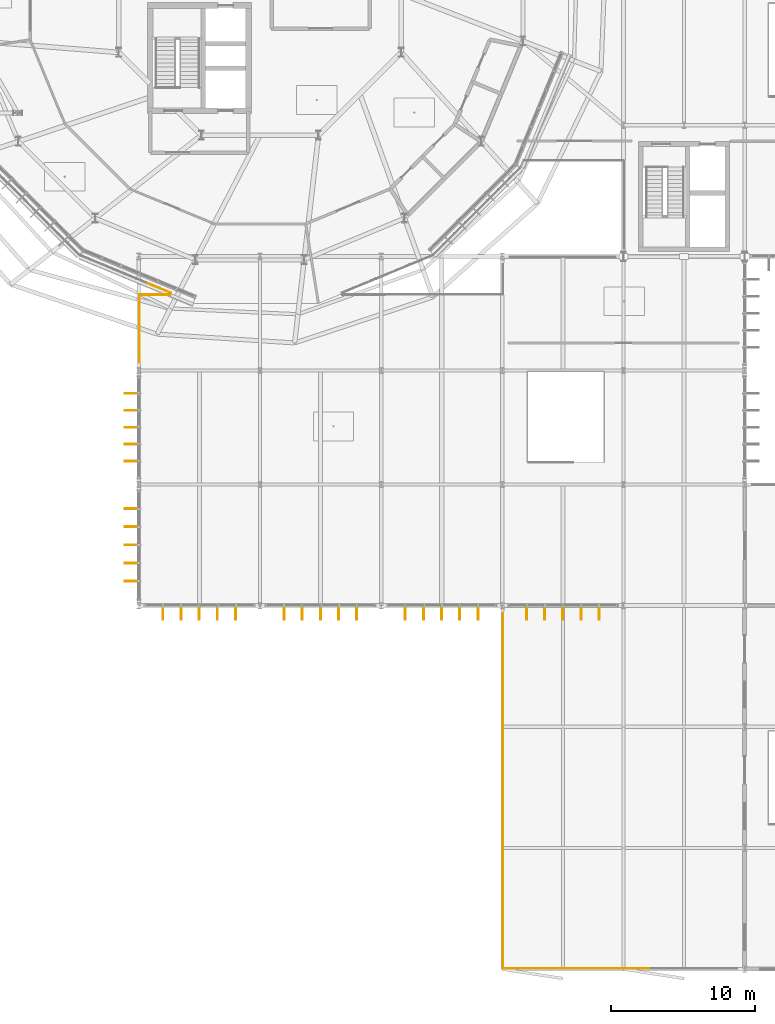
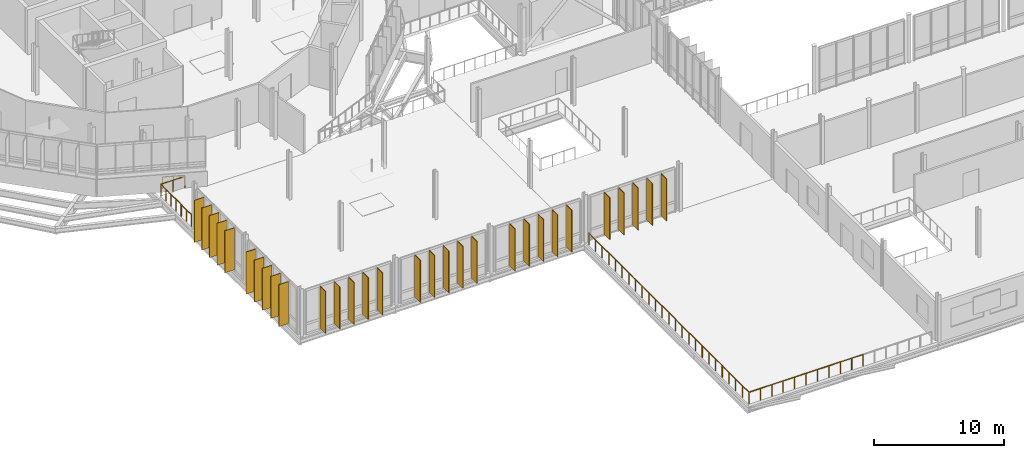
# One storey, part 126 of 139: 30 shading devices, 22 railings.
"""IFC4 building model written with IfcOpenShell, lengths in metres."""

from ifc_helpers import new_model, si_unit, derived_unit, direction, frame, origin, origin_2d, place, context, subcontext, project, spatial, rectangle, circle, extrude, material, layer, layer_set, type_object, element, save


model = new_model("IFC4")

# Units and contexts
model_context = context("Model", 3, precision=1e-05, world=origin(), true_north=direction((0.0, 1.0)))
body_context = subcontext(model_context, "Body", "Model", "MODEL_VIEW")
ifc_project = project(units=[si_unit("LENGTHUNIT", "METRE"), si_unit("AREAUNIT", "SQUARE_METRE"), si_unit("VOLUMEUNIT", "CUBIC_METRE"), si_unit("PLANEANGLEUNIT", "RADIAN"), si_unit("MASSUNIT", "GRAM", prefix="KILO"), derived_unit("THERMALTRANSMITTANCEUNIT", [(si_unit("MASSUNIT", "GRAM", prefix="KILO"), 1), (si_unit("TIMEUNIT", "SECOND"), -3), (si_unit("THERMODYNAMICTEMPERATUREUNIT", "KELVIN"), -1)])], contexts=[model_context])

# Site, building, storey
site_placement = place(None, origin())
site = spatial("IfcSite", under=ifc_project, at=site_placement, CompositionType="ELEMENT")
building_placement = place(site_placement, origin())
building = spatial("IfcBuilding", under=site, at=building_placement, Name="Makaiwela Harbour Ferry Terminal", CompositionType="ELEMENT")
storey_placement = place(building_placement, frame((0.0, 0.0, 5.10009765625)))
storey = spatial("IfcBuildingStorey", under=building, at=storey_placement, Name="L01", CompositionType="ELEMENT", Elevation=5.10009765625)

# Shading devices
ifc_material_1 = material(Name="Thermally modified Accoya timber and anodised aluminium", Category="wood")
ifc_layer = layer(ifc_material_1, 0.06005859375)
ifc_layer_set = layer_set([ifc_layer], Name="Thermally modified Accoya timber and anodised aluminium")
shading_device_type = type_object("IfcShadingDeviceType", Name="ENV-FIN-850", PredefinedType="USERDEFINED", material=ifc_layer_set)
for number, where, z_axis, x_axis, name in (
    (1, (36.1201171875, 24.662109375, 0.161865234375), (0.0, 0.0, 1.0), (0.0, -1.0, 0.0), "Vertical Solar Fin SFN-0328"),
    (2, (34.860107421875, 24.662109375, 0.161865234375), (0.0, 0.0, 1.0), (0.0, -1.0, 0.0), "Vertical Solar Fin SFN-0329"),
    (3, (33.60009765625, 24.662109375, 0.161865234375), (0.0, 0.0, 1.0), (0.0, -1.0, 0.0), "Vertical Solar Fin SFN-0330"),
    (4, (32.340087890625, 24.662109375, 0.161865234375), (0.0, 0.0, 1.0), (0.0, -1.0, 0.0), "Vertical Solar Fin SFN-0331"),
    (5, (31.080078125, 24.662109375, 0.161865234375), (0.0, 0.0, 1.0), (0.0, -1.0, 0.0), "Vertical Solar Fin SFN-0332"),
    (6, (44.52001953125, 24.662109375, 0.161865234375), (0.0, 0.0, 1.0), (0.0, -1.0, 0.0), "Vertical Solar Fin SFN-0343"),
    (7, (43.260009765625, 24.662109375, 0.161865234375), (0.0, 0.0, 1.0), (0.0, -1.0, 0.0), "Vertical Solar Fin SFN-0344"),
    (8, (42.0, 24.662109375, 0.161865234375), (0.0, 0.0, 1.0), (0.0, -1.0, 0.0), "Vertical Solar Fin SFN-0345"),
    (9, (40.739990234375, 24.662109375, 0.161865234375), (0.0, 0.0, 1.0), (0.0, -1.0, 0.0), "Vertical Solar Fin SFN-0346"),
    (10, (39.47998046875, 24.662109375, 0.161865234375), (0.0, 0.0, 1.0), (0.0, -1.0, 0.0), "Vertical Solar Fin SFN-0347"),
    (11, (52.919921875, 24.662109375, 0.161865234375), (0.0, 0.0, 1.0), (0.0, -1.0, 0.0), "Vertical Solar Fin SFN-0358"),
    (12, (51.659912109375, 24.662109375, 0.161865234375), (0.0, 0.0, 1.0), (0.0, -1.0, 0.0), "Vertical Solar Fin SFN-0359"),
    (13, (50.39990234375, 24.662109375, 0.161865234375), (0.0, 0.0, 1.0), (0.0, -1.0, 0.0), "Vertical Solar Fin SFN-0360"),
    (14, (49.139892578125, 24.662109375, 0.161865234375), (0.0, 0.0, 1.0), (0.0, -1.0, 0.0), "Vertical Solar Fin SFN-0361"),
    (15, (47.8798828125, 24.662109375, 0.161865234375), (0.0, 0.0, 1.0), (0.0, -1.0, 0.0), "Vertical Solar Fin SFN-0362"),
    (16, (61.320068359375, 24.662109375, 0.161865234375), (0.0, 0.0, 1.0), (0.0, -1.0, 0.0), "Vertical Solar Fin SFN-0368"),
    (17, (60.06005859375, 24.662109375, 0.161865234375), (0.0, 0.0, 1.0), (0.0, -1.0, 0.0), "Vertical Solar Fin SFN-0369"),
    (18, (58.800048828125, 24.662109375, 0.161865234375), (0.0, 0.0, 1.0), (0.0, -1.0, 0.0), "Vertical Solar Fin SFN-0370"),
    (19, (57.5400390625, 24.662109375, 0.161865234375), (0.0, 0.0, 1.0), (0.0, -1.0, 0.0), "Vertical Solar Fin SFN-0371"),
    (20, (56.280029296875, 24.662109375, 0.161865234375), (0.0, 0.0, 1.0), (0.0, -1.0, 0.0), "Vertical Solar Fin SFN-0372"),
    (21, (28.862060546875, 26.8798828125, 0.161865234375), (0.0, 0.0, 1.0), (-1.0, 0.0, 0.0), "Vertical Solar Fin SFN-0413"),
    (22, (28.862060546875, 28.139892578125, 0.161865234375), (0.0, 0.0, 1.0), (-1.0, 0.0, 0.0), "Vertical Solar Fin SFN-0414"),
    (23, (28.862060546875, 29.39990234375, 0.161865234375), (0.0, 0.0, 1.0), (-1.0, 0.0, 0.0), "Vertical Solar Fin SFN-0415"),
    (24, (28.862060546875, 30.659912109375, 0.161865234375), (0.0, 0.0, 1.0), (-1.0, 0.0, 0.0), "Vertical Solar Fin SFN-0416"),
    (25, (28.862060546875, 31.919921875, 0.161865234375), (0.0, 0.0, 1.0), (-1.0, 0.0, 0.0), "Vertical Solar Fin SFN-0417"),
    (26, (28.862060546875, 35.19677734375, 0.161865234375), (0.0, 0.0, 1.0), (-1.0, 0.0, 0.0), "Vertical Solar Fin SFN-0428"),
    (27, (28.862060546875, 36.373291015625, 0.161865234375), (0.0, 0.0, 1.0), (-1.0, 0.0, 0.0), "Vertical Solar Fin SFN-0429"),
    (28, (28.862060546875, 37.550048828125, 0.161865234375), (0.0, 0.0, 1.0), (-1.0, 0.0, 0.0), "Vertical Solar Fin SFN-0430"),
    (29, (28.862060546875, 38.726806640625, 0.161865234375), (0.0, 0.0, 1.0), (-1.0, 0.0, 0.0), "Vertical Solar Fin SFN-0431"),
    (30, (28.862060546875, 39.9033203125, 0.161865234375), (0.0, 0.0, 1.0), (-1.0, 0.0, 0.0), "Vertical Solar Fin SFN-0432"),
):
    element("IfcShadingDevice", number, at=place(storey_placement, frame(where, z_axis=z_axis, x_axis=x_axis)), inside=storey, type_object=shading_device_type, Name=name, ObjectType="SOLAR FIN", PredefinedType="USERDEFINED", context=body_context, shape_type="SweptSolid", body=[
        extrude(rectangle(XDim=0.85009765625, YDim=0.06005859375, at=origin_2d()), origin(), (0.0, 0.0, 1.0), 3.93994140625),
    ])

# Railings
ifc_material_2 = material(Name="Marine grade 316L brushed stainless steel", Category="steel")
railing_type = type_object("IfcRailingType", Name="INT-RL-GRD110", PredefinedType="GUARDRAIL", material=ifc_material_2)
for number, where, name in (
    (31, (64.7744140625, 0.044921875, 0.0), "Deck edge guardrail RL-0341"),
    (32, (62.74853515625, 0.044921875, 0.0), "Deck edge guardrail RL-0342"),
    (33, (60.72265625, 0.044921875, 0.0), "Deck edge guardrail RL-0343"),
    (34, (58.69677734375, 0.044921875, 0.0), "Deck edge guardrail RL-0344"),
    (35, (56.6708984375, 0.044921875, 0.0), "Deck edge guardrail RL-0345"),
):
    element("IfcRailing", number, at=place(storey_placement, frame(where)), inside=storey, type_object=railing_type, Name=name, PredefinedType="GUARDRAIL", context=body_context, shape_type="SweptSolid", body=[
        extrude(circle(Radius=0.02392578125, at=origin_2d()), frame((0.0, 0.0, 1.09619140625), z_axis=(-1.0, 0.0, 0.0), x_axis=(0.0, -1.0, 0.0)), (0.0, 0.0, 1.0), 2.02587890625),
        extrude(circle(Radius=0.02099609375, at=origin_2d()), origin(), (0.0, 0.0, 1.0), 1.072021484375),
        extrude(circle(Radius=0.02099609375, at=origin_2d()), frame((-1.012939453125, 0.0, 0.0)), (0.0, 0.0, 1.0), 1.072021484375),
        extrude(circle(Radius=0.02099609375, at=origin_2d()), frame((-2.02587890625, 0.0, 0.0)), (0.0, 0.0, 1.0), 1.072021484375),
    ])
railing_1_placement = place(storey_placement, frame((54.64501953125, 0.044921875, 0.0)))
element("IfcRailing", 36, at=railing_1_placement, inside=storey, type_object=railing_type, Name="Deck edge guardrail RL-0346", PredefinedType="GUARDRAIL", context=body_context, shape_type="SweptSolid", body=[
    extrude(circle(Radius=0.02392578125, at=origin_2d()), frame((0.0, 0.0, 1.09619140625), z_axis=(0.0, 1.0, 0.0), x_axis=(-1.0, 0.0, 0.0)), (0.0, 0.0, 1.0), 2.05078125),
    extrude(circle(Radius=0.02099609375, at=origin_2d()), origin(), (0.0, 0.0, 1.0), 1.072021484375),
    extrude(circle(Radius=0.02099609375, at=origin_2d()), frame((0.0, 1.025390625, 0.0)), (0.0, 0.0, 1.0), 1.072021484375),
    extrude(circle(Radius=0.02099609375, at=origin_2d()), frame((0.0, 2.05078125, 0.0)), (0.0, 0.0, 1.0), 1.072021484375),
])
for number, where, name in (
    (37, (54.64501953125, 2.095703125, 0.0), "Deck edge guardrail RL-0347"),
    (38, (54.64501953125, 4.146240234375, 0.0), "Deck edge guardrail RL-0348"),
    (39, (54.64501953125, 6.19677734375, 0.0), "Deck edge guardrail RL-0349"),
):
    element("IfcRailing", number, at=place(storey_placement, frame(where)), inside=storey, type_object=railing_type, Name=name, PredefinedType="GUARDRAIL", context=body_context, shape_type="SweptSolid", body=[
        extrude(circle(Radius=0.02392578125, at=origin_2d()), frame((0.0, 0.0, 1.09619140625), z_axis=(0.0, 1.0, 0.0), x_axis=(-1.0, 0.0, 0.0)), (0.0, 0.0, 1.0), 2.050537109375),
        extrude(circle(Radius=0.02099609375, at=origin_2d()), origin(), (0.0, 0.0, 1.0), 1.072021484375),
        extrude(circle(Radius=0.02099609375, at=origin_2d()), frame((0.0, 1.025390625, 0.0)), (0.0, 0.0, 1.0), 1.072021484375),
        extrude(circle(Radius=0.02099609375, at=origin_2d()), frame((0.0, 2.050537109375, 0.0)), (0.0, 0.0, 1.0), 1.072021484375),
    ])
railing_2_placement = place(storey_placement, frame((54.64501953125, 8.247314453125, 0.0)))
element("IfcRailing", 40, at=railing_2_placement, inside=storey, type_object=railing_type, Name="Deck edge guardrail RL-0350", PredefinedType="GUARDRAIL", context=body_context, shape_type="SweptSolid", body=[
    extrude(circle(Radius=0.02392578125, at=origin_2d()), frame((0.0, 0.0, 1.09619140625), z_axis=(0.0, 1.0, 0.0), x_axis=(-1.0, 0.0, 0.0)), (0.0, 0.0, 1.0), 2.05078125),
    extrude(circle(Radius=0.02099609375, at=origin_2d()), origin(), (0.0, 0.0, 1.0), 1.072021484375),
    extrude(circle(Radius=0.02099609375, at=origin_2d()), frame((0.0, 1.025390625, 0.0)), (0.0, 0.0, 1.0), 1.072021484375),
    extrude(circle(Radius=0.02099609375, at=origin_2d()), frame((0.0, 2.05078125, 0.0)), (0.0, 0.0, 1.0), 1.072021484375),
])
for number, where, name in (
    (41, (54.64501953125, 10.298095703125, 0.0), "Deck edge guardrail RL-0351"),
    (42, (54.64501953125, 12.3486328125, 0.0), "Deck edge guardrail RL-0352"),
    (43, (54.64501953125, 14.399169921875, 0.0), "Deck edge guardrail RL-0353"),
):
    element("IfcRailing", number, at=place(storey_placement, frame(where)), inside=storey, type_object=railing_type, Name=name, PredefinedType="GUARDRAIL", context=body_context, shape_type="SweptSolid", body=[
        extrude(circle(Radius=0.02392578125, at=origin_2d()), frame((0.0, 0.0, 1.09619140625), z_axis=(0.0, 1.0, 0.0), x_axis=(-1.0, 0.0, 0.0)), (0.0, 0.0, 1.0), 2.050537109375),
        extrude(circle(Radius=0.02099609375, at=origin_2d()), origin(), (0.0, 0.0, 1.0), 1.072021484375),
        extrude(circle(Radius=0.02099609375, at=origin_2d()), frame((0.0, 1.025390625, 0.0)), (0.0, 0.0, 1.0), 1.072021484375),
        extrude(circle(Radius=0.02099609375, at=origin_2d()), frame((0.0, 2.050537109375, 0.0)), (0.0, 0.0, 1.0), 1.072021484375),
    ])
railing_3_placement = place(storey_placement, frame((54.64501953125, 16.44970703125, 0.0)))
element("IfcRailing", 44, at=railing_3_placement, inside=storey, type_object=railing_type, Name="Deck edge guardrail RL-0354", PredefinedType="GUARDRAIL", context=body_context, shape_type="SweptSolid", body=[
    extrude(circle(Radius=0.02392578125, at=origin_2d()), frame((0.0, 0.0, 1.09619140625), z_axis=(0.0, 1.0, 0.0), x_axis=(-1.0, 0.0, 0.0)), (0.0, 0.0, 1.0), 2.05078125),
    extrude(circle(Radius=0.02099609375, at=origin_2d()), origin(), (0.0, 0.0, 1.0), 1.072021484375),
    extrude(circle(Radius=0.02099609375, at=origin_2d()), frame((0.0, 1.025390625, 0.0)), (0.0, 0.0, 1.0), 1.072021484375),
    extrude(circle(Radius=0.02099609375, at=origin_2d()), frame((0.0, 2.05078125, 0.0)), (0.0, 0.0, 1.0), 1.072021484375),
])
for number, where, name in (
    (45, (54.64501953125, 18.50048828125, 0.0), "Deck edge guardrail RL-0355"),
    (46, (54.64501953125, 20.551025390625, 0.0), "Deck edge guardrail RL-0356"),
    (47, (54.64501953125, 22.6015625, 0.0), "Deck edge guardrail RL-0357"),
):
    element("IfcRailing", number, at=place(storey_placement, frame(where)), inside=storey, type_object=railing_type, Name=name, PredefinedType="GUARDRAIL", context=body_context, shape_type="SweptSolid", body=[
        extrude(circle(Radius=0.02392578125, at=origin_2d()), frame((0.0, 0.0, 1.09619140625), z_axis=(0.0, 1.0, 0.0), x_axis=(-1.0, 0.0, 0.0)), (0.0, 0.0, 1.0), 2.050537109375),
        extrude(circle(Radius=0.02099609375, at=origin_2d()), origin(), (0.0, 0.0, 1.0), 1.072021484375),
        extrude(circle(Radius=0.02099609375, at=origin_2d()), frame((0.0, 1.025390625, 0.0)), (0.0, 0.0, 1.0), 1.072021484375),
        extrude(circle(Radius=0.02099609375, at=origin_2d()), frame((0.0, 2.050537109375, 0.0)), (0.0, 0.0, 1.0), 1.072021484375),
    ])
railing_4_placement = place(storey_placement, frame((29.445068359375, 42.0478515625, 0.0)))
element("IfcRailing", 48, at=railing_4_placement, inside=storey, type_object=railing_type, Name="Deck edge guardrail RL-0358", PredefinedType="GUARDRAIL", context=body_context, shape_type="SweptSolid", body=[
    extrude(circle(Radius=0.02392578125, at=origin_2d()), frame((0.0, 0.0, 1.09619140625), z_axis=(0.0, 1.0, 0.0), x_axis=(-1.0, 0.0, 0.0)), (0.0, 0.0, 1.0), 1.569091796875),
    extrude(circle(Radius=0.02099609375, at=origin_2d()), origin(), (0.0, 0.0, 1.0), 1.072021484375),
    extrude(circle(Radius=0.02099609375, at=origin_2d()), frame((0.0, 0.78466796875, 0.0)), (0.0, 0.0, 1.0), 1.072021484375),
    extrude(circle(Radius=0.02099609375, at=origin_2d()), frame((0.0, 1.569091796875, 0.0)), (0.0, 0.0, 1.0), 1.072021484375),
])
railing_5_placement = place(storey_placement, frame((29.445068359375, 43.616943359375, 0.0)))
element("IfcRailing", 49, at=railing_5_placement, inside=storey, type_object=railing_type, Name="Deck edge guardrail RL-0359", PredefinedType="GUARDRAIL", context=body_context, shape_type="SweptSolid", body=[
    extrude(circle(Radius=0.02392578125, at=origin_2d()), frame((0.0, 0.0, 1.09619140625), z_axis=(0.0, 1.0, 0.0), x_axis=(-1.0, 0.0, 0.0)), (0.0, 0.0, 1.0), 1.56884765625),
    extrude(circle(Radius=0.02099609375, at=origin_2d()), origin(), (0.0, 0.0, 1.0), 1.072021484375),
    extrude(circle(Radius=0.02099609375, at=origin_2d()), frame((0.0, 0.784423828125, 0.0)), (0.0, 0.0, 1.0), 1.072021484375),
    extrude(circle(Radius=0.02099609375, at=origin_2d()), frame((0.0, 1.56884765625, 0.0)), (0.0, 0.0, 1.0), 1.072021484375),
])
railing_6_placement = place(storey_placement, frame((29.445068359375, 45.185791015625, 0.0)))
element("IfcRailing", 50, at=railing_6_placement, inside=storey, type_object=railing_type, Name="Deck edge guardrail RL-0360", PredefinedType="GUARDRAIL", context=body_context, shape_type="SweptSolid", body=[
    extrude(circle(Radius=0.02392578125, at=origin_2d()), frame((0.0, 0.0, 1.09619140625), z_axis=(0.0, 1.0, 0.0), x_axis=(-1.0, 0.0, 0.0)), (0.0, 0.0, 1.0), 1.569091796875),
    extrude(circle(Radius=0.02099609375, at=origin_2d()), origin(), (0.0, 0.0, 1.0), 1.072021484375),
    extrude(circle(Radius=0.02099609375, at=origin_2d()), frame((0.0, 0.78466796875, 0.0)), (0.0, 0.0, 1.0), 1.072021484375),
    extrude(circle(Radius=0.02099609375, at=origin_2d()), frame((0.0, 1.569091796875, 0.0)), (0.0, 0.0, 1.0), 1.072021484375),
])
railing_7_placement = place(storey_placement, frame((29.445068359375, 46.7548828125, 0.0)))
element("IfcRailing", 51, at=railing_7_placement, inside=storey, type_object=railing_type, Name="Deck edge guardrail RL-0361", PredefinedType="GUARDRAIL", context=body_context, shape_type="SweptSolid", body=[
    extrude(circle(Radius=0.02392578125, at=origin_2d()), frame((0.0, 0.0, 1.09619140625), z_axis=(0.99999999352, 0.000113843351, 0.0), x_axis=(-0.000113843351, 0.99999999352, 0.0)), (0.0, 0.0, 1.0), 2.14453125),
    extrude(circle(Radius=0.02099609375, at=origin_2d()), origin(), (0.0, 0.0, 1.0), 1.072021484375),
    extrude(circle(Radius=0.02099609375, at=origin_2d()), frame((1.072265625, 0.0, 0.0)), (0.0, 0.0, 1.0), 1.072021484375),
    extrude(circle(Radius=0.02099609375, at=origin_2d()), frame((2.14453125, 0.000244140625, 0.0)), (0.0, 0.0, 1.0), 1.072021484375),
])
railing_8_placement = place(storey_placement, frame((31.6123046875, 46.880126953125, 0.0)))
element("IfcRailing", 52, at=railing_8_placement, inside=storey, type_object=railing_type, Name="Deck edge guardrail RL-0362", PredefinedType="GUARDRAIL", context=body_context, shape_type="SweptSolid", body=[
    extrude(circle(Radius=0.02392578125, at=origin_2d()), frame((0.0, 0.0, 1.09619140625), z_axis=(-0.923915396123, 0.382596838469, 0.0), x_axis=(-0.382596838469, -0.923915396123, 0.0)), (0.0, 0.0, 1.0), 1.701171875),
    extrude(circle(Radius=0.02099609375, at=origin_2d()), origin(), (0.0, 0.0, 1.0), 1.072021484375),
    extrude(circle(Radius=0.02099609375, at=origin_2d()), frame((-0.785888671875, 0.325439453125, 0.0)), (0.0, 0.0, 1.0), 1.072021484375),
    extrude(circle(Radius=0.02099609375, at=origin_2d()), frame((-1.57177734375, 0.65087890625, 0.0)), (0.0, 0.0, 1.0), 1.072021484375),
])

save(model, "model.ifc")
